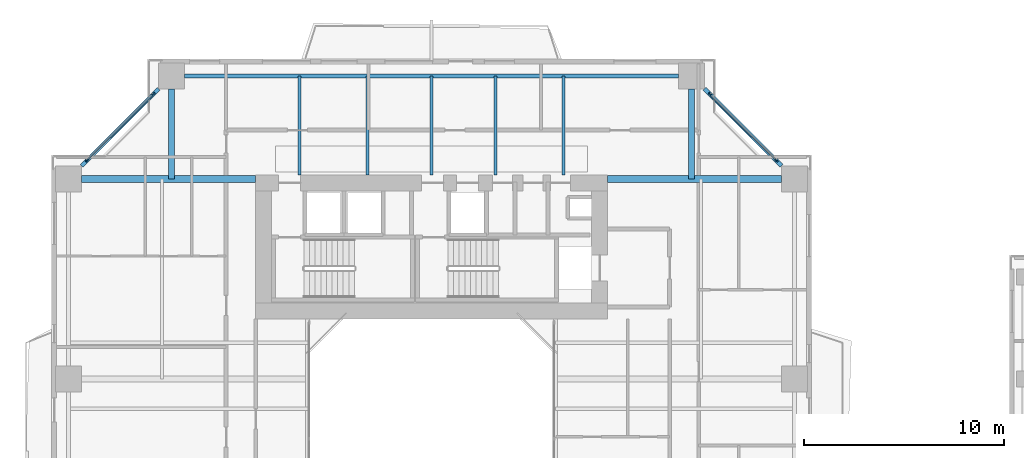
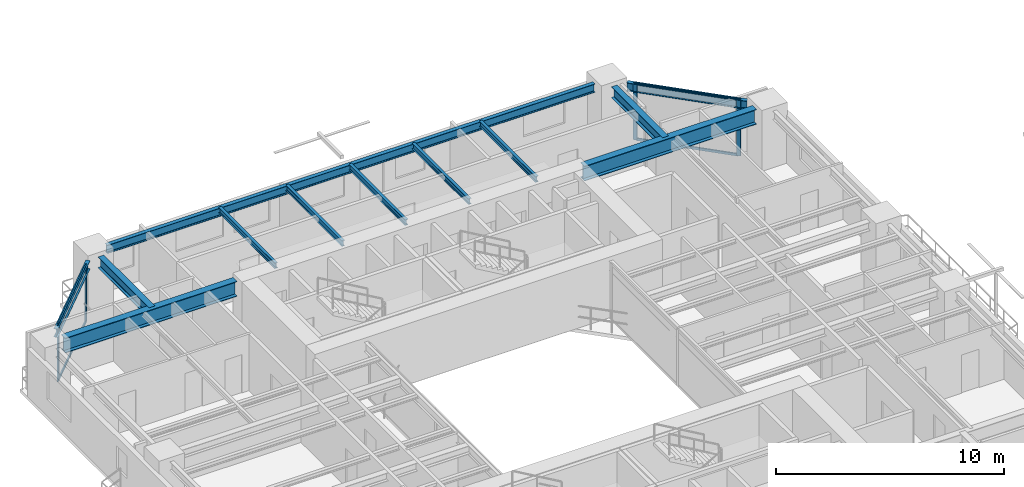
# One storey, part 9 of 23: 12 beams, 8 members, 2 elements without a shape of their own.
"""IFC4 building model written with IfcOpenShell, lengths in metres."""

from ifc_helpers import new_model, si_unit, direction, frame, origin, origin_2d, place, context, subcontext, project, spatial, rectangle, i_section, extrude, source, transform, mapped, material, layer, layer_set, material_profile, profile_set, type_object, element, aggregate, save


model = new_model("IFC4")

# Units and contexts
model_context = context("Model", 3, precision=1e-05, world=origin(), true_north=direction((0.0, 1.0)))
body_context = subcontext(model_context, "Body", "Model", "MODEL_VIEW")
ifc_project = project(units=[si_unit("LENGTHUNIT", "METRE"), si_unit("AREAUNIT", "SQUARE_METRE"), si_unit("VOLUMEUNIT", "CUBIC_METRE"), si_unit("PLANEANGLEUNIT", "RADIAN"), si_unit("MASSUNIT", "GRAM", prefix="KILO"), si_unit("THERMODYNAMICTEMPERATUREUNIT", "KELVIN"), si_unit("POWERUNIT", "WATT")], contexts=[model_context])

# Site, building, storey
site_placement = place(None, origin())
site = spatial("IfcSite", under=ifc_project, at=site_placement, CompositionType="ELEMENT")
building_placement = place(site_placement, origin())
building = spatial("IfcBuilding", under=site, at=building_placement, Name="Qiaomeng Ring Towers", CompositionType="ELEMENT")
storey_placement = place(building_placement, frame((0.0, 0.0, 89.25)))
storey = spatial("IfcBuildingStorey", under=building, at=storey_placement, Name="L25", CompositionType="ELEMENT", Elevation=89.25)

# Beams
ifc_material_1 = material(Name="Steel Q355B", Category="steel")
ifc_material_profile_1 = material_profile(ifc_material_1, i_section(OverallWidth=0.199951171875, OverallDepth=0.449951171875, WebThickness=0.009033203125, FlangeThickness=0.013916015625, FilletRadius=0.01806640625, at=origin_2d()), Name="HN 450x200x9x14")
ifc_profile_set_1 = profile_set([ifc_material_profile_1], Name="Steel Q355B")
beam_type_1 = type_object("IfcBeamType", Name="STR-BM-HN450", PredefinedType="SPANDREL", material=ifc_profile_set_1)
shared_shape_1 = source(origin(), body_context, "Body", "SweptSolid", [
    extrude(i_section(OverallWidth=0.199951171875, OverallDepth=0.449951171875, WebThickness=0.009033203125, FlangeThickness=0.013916015625, FilletRadius=0.01806640625, at=origin_2d()), origin(), (0.0, 0.0, 1.0), 24.7021484375),
])
beam_placement = place(storey_placement, frame((31.35107421875, 41.14990234375, 2.804931640625), z_axis=(-1.0, 0.0, 0.0), x_axis=(0.0, -1.0, 0.0)))
element("IfcBeam", 1, at=beam_placement, inside=storey, type_object=beam_type_1, Name="L25 beam STR-SP-L25-T1-N2-N1", PredefinedType="SPANDREL", context=body_context, shape_type="MappedRepresentation", body=[
    mapped(shared_shape_1, transform((0.0, 0.0, 0.0), x_axis=(1.0, 0.0, 0.0), y_axis=(0.0, 1.0, 0.0), z_axis=(0.0, 0.0, 1.0), scale=1.0)),
])
shared_shape_2 = source(origin(), body_context, "Body", "SweptSolid", [
    extrude(i_section(OverallWidth=0.199951171875, OverallDepth=0.449951171875, WebThickness=0.009033203125, FlangeThickness=0.013916015625, FilletRadius=0.01806640625, at=origin_2d()), origin(), (0.0, 0.0, 1.0), 5.446533203125),
])
for number, where, z_axis, x_axis, name in (
    (2, (36.500732421875, 36.6494140625, 2.804931640625), (-0.707106781187, 0.707106781187, 0.0), (-0.707106781187, -0.707106781187, 0.0), "L25 beam STR-SP-L25-T1-E4-N2"),
    (3, (5.3505859375, 40.500732421875, 2.804931640625), (-0.707106781187, -0.707106781187, 0.0), (0.707106781187, -0.707106781187, 0.0), "L25 beam STR-SP-L25-T1-N1-W4"),
):
    element("IfcBeam", number, at=place(storey_placement, frame(where, z_axis=z_axis, x_axis=x_axis)), inside=storey, type_object=beam_type_1, Name=name, PredefinedType="SPANDREL", context=body_context, shape_type="MappedRepresentation", body=[
        mapped(shared_shape_2, transform((0.0, 0.0, 0.0), x_axis=(1.0, 0.0, 0.0), y_axis=(0.0, 1.0, 0.0), z_axis=(0.0, 0.0, 1.0), scale=1.0)),
    ])
ifc_material_2 = material(Name="Steel Q390GJC", Category="steel")
ifc_material_profile_2 = material_profile(ifc_material_2, i_section(OverallWidth=0.35009765625, OverallDepth=0.800048828125, WebThickness=0.01611328125, FlangeThickness=0.028076171875, at=origin_2d()), Name="WH 800x350x16x28")
ifc_profile_set_2 = profile_set([ifc_material_profile_2], Name="Steel Q390GJC")
beam_type_2 = type_object("IfcBeamType", Name="STR-BM-WH800", PredefinedType="BEAM", material=ifc_profile_set_2)
shared_shape_3 = source(origin(), body_context, "Body", "SweptSolid", [
    extrude(i_section(OverallWidth=0.35009765625, OverallDepth=0.800048828125, WebThickness=0.01611328125, FlangeThickness=0.028076171875, at=origin_2d()), origin(), (0.0, 0.0, 1.0), 8.700927734375),
])
for number, where, z_axis, x_axis, name in (
    (4, (1.4990234375, 36.0, 2.6298828125), (1.0, 0.0, 0.0), (0.0, 1.0, 0.0), "L25 beam STR-BM-L25-T1-RAD-W4"),
    (5, (27.800048828125, 36.0, 2.6298828125), (1.0, 0.0, 0.0), (0.0, 1.0, 0.0), "L25 beam STR-BM-L25-T1-RAD-E4"),
):
    element("IfcBeam", number, at=place(storey_placement, frame(where, z_axis=z_axis, x_axis=x_axis)), inside=storey, type_object=beam_type_2, Name=name, PredefinedType="BEAM", context=body_context, shape_type="MappedRepresentation", body=[
        mapped(shared_shape_3, transform((0.0, 0.0, 0.0), x_axis=(1.0, 0.0, 0.0), y_axis=(0.0, 1.0, 0.0), z_axis=(0.0, 0.0, 1.0), scale=1.0)),
    ])
ifc_material_profile_3 = material_profile(ifc_material_1, i_section(OverallWidth=0.300048828125, OverallDepth=0.587890625, WebThickness=0.011962890625, FlangeThickness=0.02001953125, FilletRadius=0.028076171875, at=origin_2d()), Name="HM 588x300x12x20")
ifc_profile_set_3 = profile_set([ifc_material_profile_3], Name="Steel Q355B")
beam_type_3 = type_object("IfcBeamType", Name="STR-BM-HM588", PredefinedType="BEAM", material=ifc_profile_set_3)
shared_shape_4 = source(origin(), body_context, "Body", "SweptSolid", [
    extrude(i_section(OverallWidth=0.300048828125, OverallDepth=0.587890625, WebThickness=0.011962890625, FlangeThickness=0.02001953125, FilletRadius=0.028076171875, at=origin_2d()), origin(), (0.0, 0.0, 1.0), 4.5009765625),
])
for number, where, z_axis, x_axis, name in (
    (6, (6.0, 40.5009765625, 2.736083984375), (0.0, -1.0, 0.0), (1.0, 0.0, 0.0), "L25 beam STR-BM-L25-T1-RAD-N1"),
    (7, (32.0, 40.5009765625, 2.736083984375), (0.0, -1.0, 0.0), (1.0, 0.0, 0.0), "L25 beam STR-BM-L25-T1-RAD-N2"),
):
    element("IfcBeam", number, at=place(storey_placement, frame(where, z_axis=z_axis, x_axis=x_axis)), inside=storey, type_object=beam_type_3, Name=name, PredefinedType="BEAM", context=body_context, shape_type="MappedRepresentation", body=[
        mapped(shared_shape_4, transform((0.0, 0.0, 0.0), x_axis=(1.0, 0.0, 0.0), y_axis=(0.0, 1.0, 0.0), z_axis=(0.0, 0.0, 1.0), scale=1.0)),
    ])
ifc_material_profile_4 = material_profile(ifc_material_1, i_section(OverallWidth=0.14990234375, OverallDepth=0.300048828125, WebThickness=0.006591796875, FlangeThickness=0.009033203125, FilletRadius=0.012939453125, at=origin_2d()), Name="HN 300x150x6.5x9")
ifc_profile_set_4 = profile_set([ifc_material_profile_4], Name="Steel Q355B")
beam_type_4 = type_object("IfcBeamType", Name="STR-BM-HN300", PredefinedType="JOIST", material=ifc_profile_set_4)
shared_shape_5 = source(origin(), body_context, "Body", "SweptSolid", [
    extrude(i_section(OverallWidth=0.14990234375, OverallDepth=0.300048828125, WebThickness=0.006591796875, FlangeThickness=0.009033203125, FilletRadius=0.012939453125, at=origin_2d()), origin(), (0.0, 0.0, 1.0), 4.949951171875),
])
for number, where, z_axis, x_axis, name in (
    (8, (12.39990234375, 36.199951171875, 2.8798828125), (0.0, 1.0, 0.0), (-1.0, 0.0, 0.0), "L25 beam STR-JST-L25-T1N-1"),
    (9, (15.800048828125, 36.199951171875, 2.8798828125), (0.0, 1.0, 0.0), (-1.0, 0.0, 0.0), "L25 beam STR-JST-L25-T1N-2"),
    (10, (19.0, 36.199951171875, 2.8798828125), (0.0, 1.0, 0.0), (-1.0, 0.0, 0.0), "L25 beam STR-JST-L25-T1N-3"),
    (11, (22.199951171875, 36.199951171875, 2.8798828125), (0.0, 1.0, 0.0), (-1.0, 0.0, 0.0), "L25 beam STR-JST-L25-T1N-4"),
    (12, (25.60009765625, 36.199951171875, 2.8798828125), (0.0, 1.0, 0.0), (-1.0, 0.0, 0.0), "L25 beam STR-JST-L25-T1N-5"),
):
    element("IfcBeam", number, at=place(storey_placement, frame(where, z_axis=z_axis, x_axis=x_axis)), inside=storey, type_object=beam_type_4, Name=name, PredefinedType="JOIST", context=body_context, shape_type="MappedRepresentation", body=[
        mapped(shared_shape_5, transform((0.0, 0.0, 0.0), x_axis=(1.0, 0.0, 0.0), y_axis=(0.0, 1.0, 0.0), z_axis=(0.0, 0.0, 1.0), scale=1.0)),
    ])

# Curtain wall, members
ifc_material_3 = material(Name="Fluorocarbon dark-grey aluminium", Category="aluminium")
ifc_layer = layer(ifc_material_3, 0.159912109375, Name="Fluorocarbon dark-grey aluminium")
ifc_layer_set = layer_set([ifc_layer], Name="Fluorocarbon dark-grey aluminium")
curtain_wall_type = type_object("IfcCurtainWallType", Name="ARC-CW-2", PredefinedType="NOTDEFINED", material=ifc_layer_set)
curtain_wall_1_placement = place(storey_placement, origin())
curtain_wall_1 = element("IfcCurtainWall", 13, at=curtain_wall_1_placement, inside=storey, type_object=curtain_wall_type, Name="L25 Curtain Wall CW2", PredefinedType="NOTDEFINED")
ifc_material_profile_5 = material_profile(ifc_material_3, rectangle(XDim=0.06494140625, YDim=0.1298828125, at=origin_2d()), Name="ALU TRAN 65x130")
ifc_profile_set_5 = profile_set([ifc_material_profile_5], Name="Fluorocarbon dark-grey aluminium")
member_type_1 = type_object("IfcMemberType", Name="ARC-CWT-120", PredefinedType="USERDEFINED", material=ifc_profile_set_5)
shared_shape_6 = source(origin(), body_context, "Body", "SweptSolid", [
    extrude(rectangle(XDim=0.06494140625, YDim=0.1298828125, at=origin_2d()), origin(), (0.0, 0.0, 1.0), 4.6259765625),
])
member_1_placement = place(storey_placement, frame((36.21044921875, 36.939453125, 0.032470703125), z_axis=(-0.707106781187, 0.707106781187, 0.0), x_axis=(-0.707106781187, -0.707106781187, 0.0)))
member_1 = element("IfcMember", 14, at=member_1_placement, type_object=member_type_1, Name="CW2 transom 1.1", ObjectType="TRANSOM", PredefinedType="USERDEFINED", context=body_context, shape_type="MappedRepresentation", body=[
    mapped(shared_shape_6, transform((0.0, 0.0, 0.0), x_axis=(1.0, 0.0, 0.0), y_axis=(0.0, 1.0, 0.0), z_axis=(0.0, 0.0, 1.0), scale=1.0)),
])
member_2_placement = place(storey_placement, frame((36.21044921875, 36.939453125, 2.99755859375), z_axis=(-0.707106781187, 0.707106781187, 0.0), x_axis=(-0.707106781187, -0.707106781187, 0.0)))
member_2 = element("IfcMember", 15, at=member_2_placement, type_object=member_type_1, Name="CW2 transom 1.2", ObjectType="TRANSOM", PredefinedType="USERDEFINED", context=body_context, shape_type="MappedRepresentation", body=[
    mapped(shared_shape_6, transform((0.0, 0.0, 0.0), x_axis=(1.0, 0.0, 0.0), y_axis=(0.0, 1.0, 0.0), z_axis=(0.0, 0.0, 1.0), scale=1.0)),
])

curtain_wall_2_placement = place(storey_placement, origin())
curtain_wall_2 = element("IfcCurtainWall", 16, at=curtain_wall_2_placement, inside=storey, type_object=curtain_wall_type, Name="L25 Curtain Wall CW2", PredefinedType="NOTDEFINED")
member_3_placement = place(storey_placement, frame((5.060546875, 40.21044921875, 0.032470703125), z_axis=(-0.707106781187, -0.707106781187, 0.0), x_axis=(0.707106781187, -0.707106781187, 0.0)))
member_3 = element("IfcMember", 17, at=member_3_placement, type_object=member_type_1, Name="CW2 transom 1.1", ObjectType="TRANSOM", PredefinedType="USERDEFINED", context=body_context, shape_type="MappedRepresentation", body=[
    mapped(shared_shape_6, transform((0.0, 0.0, 0.0), x_axis=(1.0, 0.0, 0.0), y_axis=(0.0, 1.0, 0.0), z_axis=(0.0, 0.0, 1.0), scale=1.0)),
])
member_4_placement = place(storey_placement, frame((5.060546875, 40.21044921875, 2.99755859375), z_axis=(-0.707106781187, -0.707106781187, 0.0), x_axis=(0.707106781187, -0.707106781187, 0.0)))
member_4 = element("IfcMember", 18, at=member_4_placement, type_object=member_type_1, Name="CW2 transom 1.2", ObjectType="TRANSOM", PredefinedType="USERDEFINED", context=body_context, shape_type="MappedRepresentation", body=[
    mapped(shared_shape_6, transform((0.0, 0.0, 0.0), x_axis=(1.0, 0.0, 0.0), y_axis=(0.0, 1.0, 0.0), z_axis=(0.0, 0.0, 1.0), scale=1.0)),
])

# Member
ifc_material_profile_6 = material_profile(ifc_material_3, rectangle(XDim=0.070068359375, YDim=0.179931640625, at=origin_2d()), Name="ALU MULL 70x180")
ifc_profile_set_6 = profile_set([ifc_material_profile_6], Name="Fluorocarbon dark-grey aluminium")
member_type_2 = type_object("IfcMemberType", Name="ARC-CWM-160", PredefinedType="MULLION", material=ifc_profile_set_6)
shared_shape_7 = source(origin(), body_context, "Body", "SweptSolid", [
    extrude(rectangle(XDim=0.070068359375, YDim=0.179931640625, at=origin_2d()), origin(), (0.0, 0.0, 1.0), 3.030029296875),
])
member_5_placement = place(storey_placement, frame((36.2353515625, 36.914794921875, 0.0), z_axis=(0.0, 0.0, 1.0), x_axis=(-0.707106781187, -0.707106781187, 0.0)))
member_5 = element("IfcMember", 19, at=member_5_placement, type_object=member_type_2, Name="CW2 mullion 1", PredefinedType="MULLION", context=body_context, shape_type="MappedRepresentation", body=[
    mapped(shared_shape_7, transform((0.0, 0.0, 0.0), x_axis=(1.0, 0.0, 0.0), y_axis=(0.0, 1.0, 0.0), z_axis=(0.0, 0.0, 1.0), scale=1.0)),
])

member_6_placement = place(storey_placement, frame((32.914794921875, 40.2353515625, 0.0), z_axis=(0.0, 0.0, 1.0), x_axis=(-0.707106781187, -0.707106781187, 0.0)))
member_6 = element("IfcMember", 20, at=member_6_placement, type_object=member_type_2, Name="CW2 mullion 2", PredefinedType="MULLION", context=body_context, shape_type="MappedRepresentation", body=[
    mapped(shared_shape_7, transform((0.0, 0.0, 0.0), x_axis=(1.0, 0.0, 0.0), y_axis=(0.0, 1.0, 0.0), z_axis=(0.0, 0.0, 1.0), scale=1.0)),
])

aggregate(curtain_wall_1, [member_5, member_6, member_1, member_2])

member_7_placement = place(storey_placement, frame((5.085205078125, 40.2353515625, 0.0), z_axis=(0.0, 0.0, 1.0), x_axis=(0.707106781187, -0.707106781187, 0.0)))
member_7 = element("IfcMember", 21, at=member_7_placement, type_object=member_type_2, Name="CW2 mullion 1", PredefinedType="MULLION", context=body_context, shape_type="MappedRepresentation", body=[
    mapped(shared_shape_7, transform((0.0, 0.0, 0.0), x_axis=(1.0, 0.0, 0.0), y_axis=(0.0, 1.0, 0.0), z_axis=(0.0, 0.0, 1.0), scale=1.0)),
])

member_8_placement = place(storey_placement, frame((1.7646484375, 36.914794921875, 0.0), z_axis=(0.0, 0.0, 1.0), x_axis=(0.707106781187, -0.707106781187, 0.0)))
member_8 = element("IfcMember", 22, at=member_8_placement, type_object=member_type_2, Name="CW2 mullion 2", PredefinedType="MULLION", context=body_context, shape_type="MappedRepresentation", body=[
    mapped(shared_shape_7, transform((0.0, 0.0, 0.0), x_axis=(1.0, 0.0, 0.0), y_axis=(0.0, 1.0, 0.0), z_axis=(0.0, 0.0, 1.0), scale=1.0)),
])

aggregate(curtain_wall_2, [member_7, member_8, member_3, member_4])

save(model, "model.ifc")
